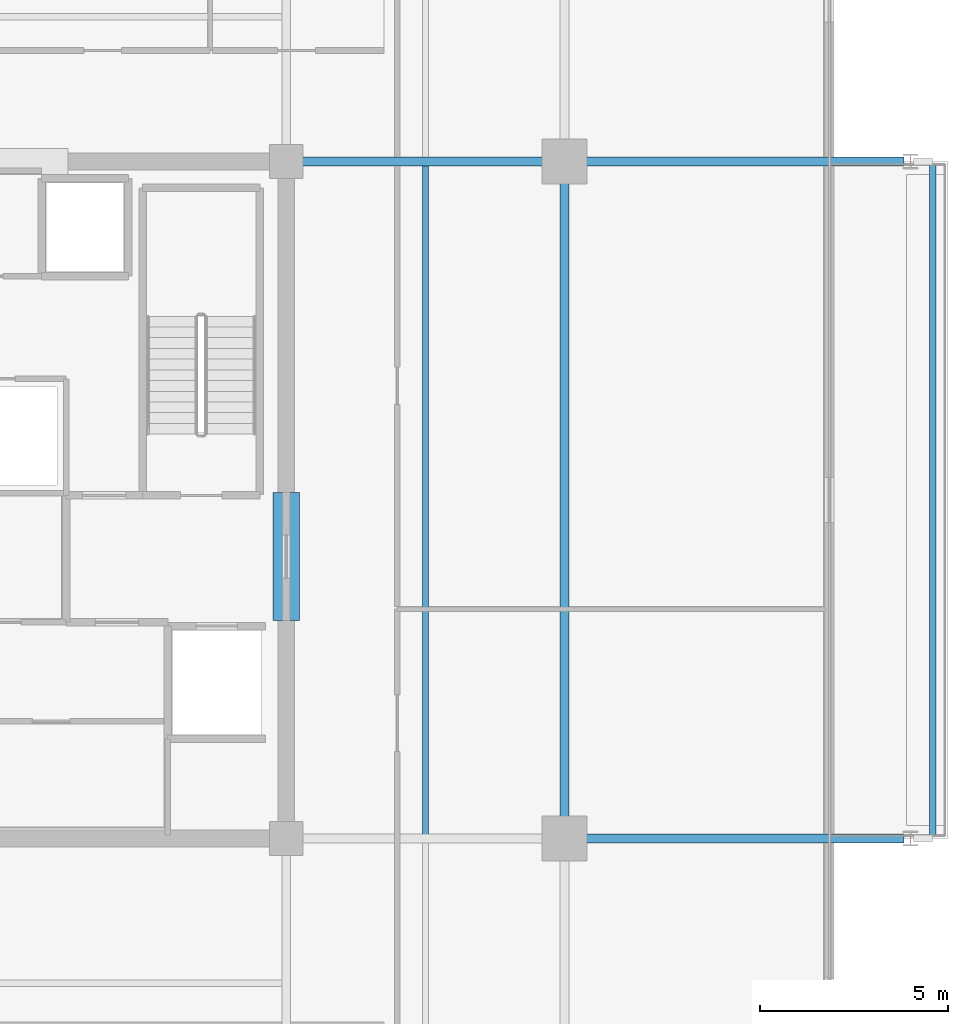
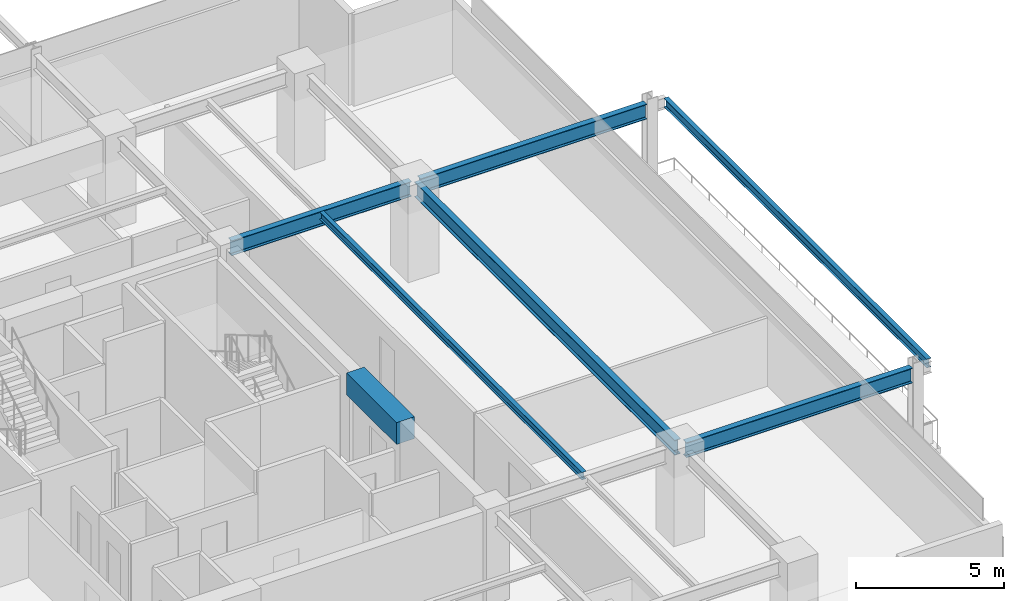
# One storey, part 10 of 20: 7 beams.
"""IFC4 building model written with IfcOpenShell, lengths in metres."""

from ifc_helpers import new_model, si_unit, direction, frame, origin, origin_2d, place, context, subcontext, project, spatial, rectangle, i_section, extrude, material, material_profile, profile_set, type_object, element, save


model = new_model("IFC4")

# Units and contexts
model_context = context("Model", 3, precision=1e-05, world=origin(), true_north=direction((0.0, 1.0)))
body_context = subcontext(model_context, "Body", "Model", "MODEL_VIEW")
ifc_project = project(units=[si_unit("LENGTHUNIT", "METRE"), si_unit("AREAUNIT", "SQUARE_METRE"), si_unit("VOLUMEUNIT", "CUBIC_METRE"), si_unit("PLANEANGLEUNIT", "RADIAN"), si_unit("MASSUNIT", "GRAM", prefix="KILO")], contexts=[model_context])

# Site, building, storey
site_placement = place(None, origin())
site = spatial("IfcSite", under=ifc_project, at=site_placement, CompositionType="ELEMENT")
building_placement = place(site_placement, origin())
building = spatial("IfcBuilding", under=site, at=building_placement, Name="Kovane Verandah Tower", CompositionType="ELEMENT")
storey_placement = place(building_placement, frame((0.0, 0.0, 287.199951171875)))
storey = spatial("IfcBuildingStorey", under=building, at=storey_placement, Name="L67", CompositionType="ELEMENT", Elevation=287.199951171875)

# Beams
ifc_material_1 = material(Name="Concrete C60/75", Category="concrete")
ifc_material_profile_1 = material_profile(ifc_material_1, rectangle(XDim=0.699951171875, YDim=0.89990234375, at=origin_2d()), Name="RCB700x900")
ifc_profile_set_1 = profile_set([ifc_material_profile_1], Name="Concrete C60/75")
beam_type_1 = type_object("IfcBeamType", Name="BM-LINTEL-700x900", PredefinedType="LINTEL", material=ifc_profile_set_1)
beam_1_placement = place(storey_placement, frame((51.0, 24.300048828125, 3.3349609375), z_axis=(0.0, 1.0, 0.0), x_axis=(-1.0, 0.0, 0.0)))
element("IfcBeam", 1, at=beam_1_placement, inside=storey, type_object=beam_type_1, Name="L67 Core Coupling Lintel CL-E", PredefinedType="LINTEL", context=body_context, shape_type="SweptSolid", body=[
    extrude(rectangle(XDim=0.699951171875, YDim=0.89990234375, at=origin_2d()), origin(), (0.0, 0.0, 1.0), 3.39990234375),
])
ifc_material_2 = material(Name="Steel S355", Category="steel")
ifc_material_profile_2 = material_profile(ifc_material_2, i_section(OverallWidth=0.230224609375, OverallDepth=0.6171875, WebThickness=0.01318359375, FlangeThickness=0.022216796875, FilletRadius=0.0126953125, at=origin_2d()), Name="UB610x229x140")
ifc_profile_set_2 = profile_set([ifc_material_profile_2], Name="Steel S355")
beam_type_2 = type_object("IfcBeamType", Name="BM-UB610x140", PredefinedType="BEAM", material=ifc_profile_set_2)
beam_2_placement = place(storey_placement, frame((58.39990234375, 18.679931640625, 3.4765625), z_axis=(0.0, 1.0, 0.0), x_axis=(-1.0, 0.0, 0.0)))
element("IfcBeam", 2, at=beam_2_placement, inside=storey, type_object=beam_type_2, Name="L67 Primary Tower Girder G-RE2", PredefinedType="BEAM", context=body_context, shape_type="SweptSolid", body=[
    extrude(i_section(OverallWidth=0.230224609375, OverallDepth=0.6171875, WebThickness=0.01318359375, FlangeThickness=0.022216796875, FilletRadius=0.0126953125, at=origin_2d()), origin(), (0.0, 0.0, 1.0), 17.64013671875),
])
beam_3_placement = place(storey_placement, frame((51.179931640625, 36.5, 3.4765625), z_axis=(1.0, 0.0, 0.0), x_axis=(0.0, 1.0, 0.0)))
element("IfcBeam", 3, at=beam_3_placement, inside=storey, type_object=beam_type_2, Name="L67 Primary Tower Girder G-E2", PredefinedType="BEAM", context=body_context, shape_type="SweptSolid", body=[
    extrude(i_section(OverallWidth=0.230224609375, OverallDepth=0.6171875, WebThickness=0.01318359375, FlangeThickness=0.022216796875, FilletRadius=0.0126953125, at=origin_2d()), origin(), (0.0, 0.0, 1.0), 7.0400390625),
])
for number, where, z_axis, x_axis, name in (
    (4, (58.580078125, 18.5, 3.451416015625), (1.0, 0.0, 0.0), (0.0, 1.0, 0.0), "L67 Primary Tower Girder G-VE1"),
    (5, (58.580078125, 36.5, 3.451416015625), (1.0, 0.0, 0.0), (0.0, 1.0, 0.0), "L67 Primary Tower Girder G-VE2"),
):
    element("IfcBeam", number, at=place(storey_placement, frame(where, z_axis=z_axis, x_axis=x_axis)), inside=storey, type_object=beam_type_2, Name=name, PredefinedType="BEAM", context=body_context, shape_type="SweptSolid", body=[
        extrude(i_section(OverallWidth=0.230224609375, OverallDepth=0.6171875, WebThickness=0.01318359375, FlangeThickness=0.022216796875, FilletRadius=0.0126953125, at=origin_2d()), origin(), (0.0, 0.0, 1.0), 8.83984375),
    ])
ifc_material_profile_3 = material_profile(ifc_material_2, i_section(OverallWidth=0.1669921875, OverallDepth=0.310302734375, WebThickness=0.0078125, FlangeThickness=0.013671875, FilletRadius=0.0087890625, at=origin_2d()), Name="UB305x165x54")
ifc_profile_set_3 = profile_set([ifc_material_profile_3], Name="Steel S355")
beam_type_3 = type_object("IfcBeamType", Name="JST-UB305x54", PredefinedType="JOIST", material=ifc_profile_set_3)
beam_4_placement = place(storey_placement, frame((54.699951171875, 18.613037109375, 3.6298828125), z_axis=(0.0, 1.0, 0.0), x_axis=(-1.0, 0.0, 0.0)))
element("IfcBeam", 6, at=beam_4_placement, inside=storey, type_object=beam_type_3, Name="L67 Secondary Composite Joist J-E1", PredefinedType="JOIST", context=body_context, shape_type="SweptSolid", body=[
    extrude(i_section(OverallWidth=0.1669921875, OverallDepth=0.310302734375, WebThickness=0.0078125, FlangeThickness=0.013671875, FilletRadius=0.0087890625, at=origin_2d()), origin(), (0.0, 0.0, 1.0), 17.77392578125),
])
ifc_material_profile_4 = material_profile(ifc_material_2, i_section(OverallWidth=0.173095703125, OverallDepth=0.36328125, WebThickness=0.009033203125, FlangeThickness=0.015625, FilletRadius=0.01025390625, at=origin_2d()), Name="UB356x171x67")
ifc_profile_set_4 = profile_set([ifc_material_profile_4], Name="Steel S355")
beam_type_4 = type_object("IfcBeamType", Name="SPD-UB356x67", PredefinedType="USERDEFINED", material=ifc_profile_set_4)
beam_5_placement = place(storey_placement, frame((68.181640625, 18.594482421875, 3.578369140625), z_axis=(0.0, 1.0, 0.0), x_axis=(-1.0, 0.0, 0.0)))
element("IfcBeam", 7, at=beam_5_placement, inside=storey, type_object=beam_type_4, Name="L67 East Planter Edge Spandrel", ObjectType="SPANDREL", PredefinedType="USERDEFINED", context=body_context, shape_type="SweptSolid", body=[
    extrude(i_section(OverallWidth=0.173095703125, OverallDepth=0.36328125, WebThickness=0.009033203125, FlangeThickness=0.015625, FilletRadius=0.01025390625, at=origin_2d()), origin(), (0.0, 0.0, 1.0), 17.81103515625),
])

save(model, "model.ifc")
